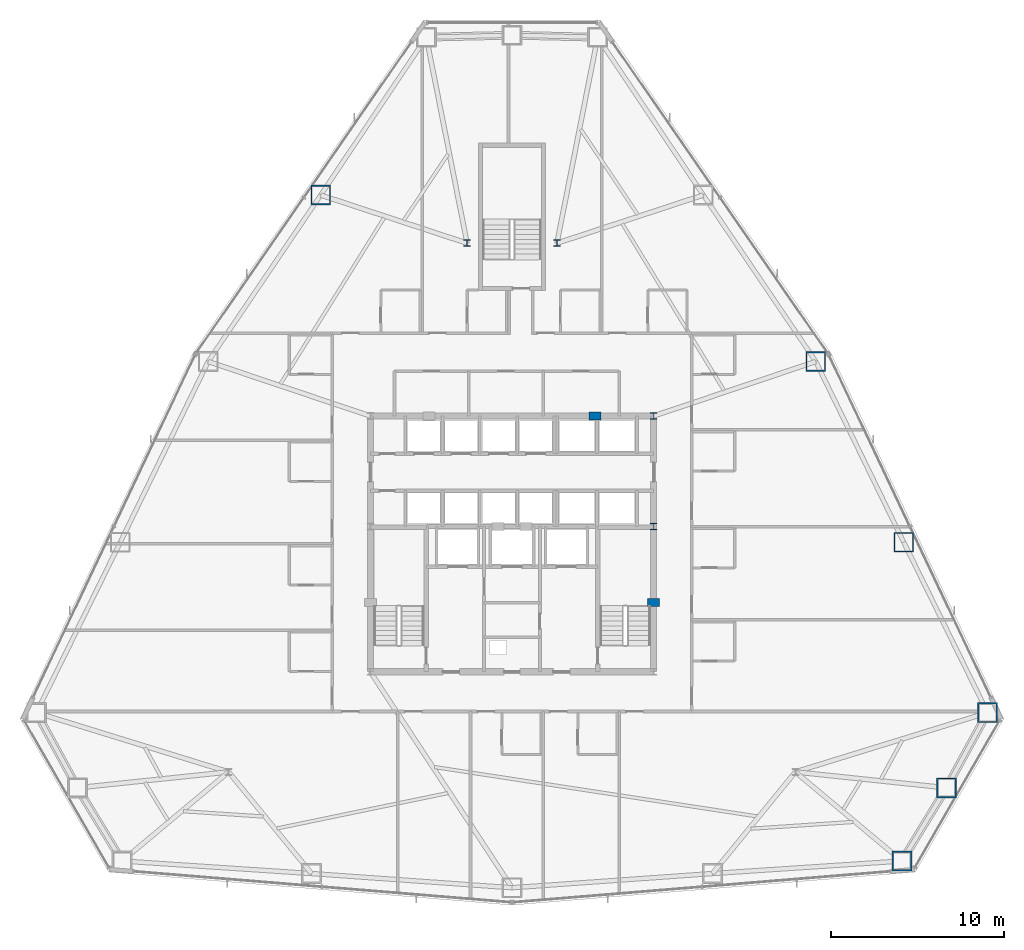
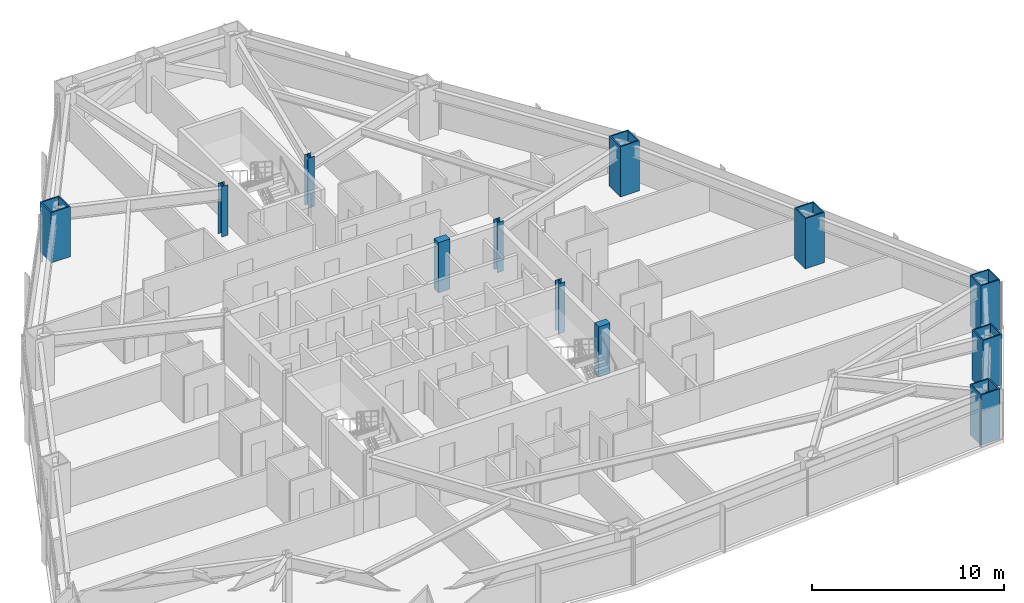
# One storey, part 2 of 13: 12 columns.
"""IFC4 building model written with IfcOpenShell, lengths in metres."""

from ifc_helpers import new_model, si_unit, direction, frame, origin, origin_2d, place, context, subcontext, project, spatial, rectangle, hollow_rectangle, i_section, extrude, material, material_profile, profile_set, type_object, element, save


model = new_model("IFC4")

# Units and contexts
model_context = context("Model", 3, precision=1e-05, world=origin(), true_north=direction((0.0, 1.0)))
body_context = subcontext(model_context, "Body", "Model", "MODEL_VIEW")
ifc_project = project(units=[si_unit("LENGTHUNIT", "METRE"), si_unit("AREAUNIT", "SQUARE_METRE"), si_unit("VOLUMEUNIT", "CUBIC_METRE"), si_unit("PLANEANGLEUNIT", "RADIAN"), si_unit("MASSUNIT", "GRAM", prefix="KILO")], contexts=[model_context])

# Site, building, storey
site_placement = place(None, origin())
site = spatial("IfcSite", under=ifc_project, at=site_placement, CompositionType="ELEMENT")
building_placement = place(site_placement, origin())
building = spatial("IfcBuilding", under=site, at=building_placement, Name="Varakhsha Concourse Tower", CompositionType="ELEMENT")
storey_placement = place(building_placement, frame((0.0, 0.0, 52.800048828125)))
storey = spatial("IfcBuildingStorey", under=building, at=storey_placement, Name="L14", CompositionType="ELEMENT", Elevation=52.800048828125)

# Columns
ifc_material_1 = material(Name="Structural Steel ASTM A992 Grade 50", Category="steel")
ifc_material_profile_1 = material_profile(ifc_material_1, i_section(OverallWidth=0.3740234375, OverallDepth=0.3720703125, WebThickness=0.01611328125, FlangeThickness=0.02587890625, at=origin_2d()), Name="W14X132")
ifc_profile_set_1 = profile_set([ifc_material_profile_1], Name="Structural Steel ASTM A992 Grade 50")
column_type_1 = type_object("IfcColumnType", Name="CL-CORE-W14X132", PredefinedType="COLUMN", material=ifc_profile_set_1)
for number, where, z_axis, x_axis, name in (
    (1, (48.199951171875, 24.800048828125, 0.0), (0.0, 0.0, 1.0), (1.0, 0.0, 0.0), "L14 Core Column CC-ME"),
    (2, (48.199951171875, 31.199951171875, 0.0), (0.0, 0.0, 1.0), (1.0, 0.0, 0.0), "L14 Core Column CC-NE"),
    (3, (37.39990234375, 41.199951171875, 0.0), (0.0, 0.0, 1.0), (1.0, 0.0, 0.0), "L14 Core Column NS-W"),
    (4, (42.60009765625, 41.199951171875, 0.0), (0.0, 0.0, 1.0), (1.0, 0.0, 0.0), "L14 Core Column NS-E"),
):
    element("IfcColumn", number, at=place(storey_placement, frame(where, z_axis=z_axis, x_axis=x_axis)), inside=storey, type_object=column_type_1, Name=name, PredefinedType="COLUMN", context=body_context, shape_type="SweptSolid", body=[
        extrude(i_section(OverallWidth=0.3740234375, OverallDepth=0.3720703125, WebThickness=0.01611328125, FlangeThickness=0.02587890625, at=origin_2d()), origin(), (0.0, 0.0, 1.0), 3.199951171875),
    ])
ifc_material_2 = material(Name="Concrete fc 65 MPa", Category="concrete")
ifc_material_profile_2 = material_profile(ifc_material_2, rectangle(XDim=0.699951171875, YDim=0.449951171875, at=origin_2d()), Name="RC 700x450")
ifc_profile_set_2 = profile_set([ifc_material_profile_2], Name="Concrete fc 65 MPa")
column_type_2 = type_object("IfcColumnType", Name="CL-PIL-700X450", PredefinedType="PILASTER", material=ifc_profile_set_2)
for number, where, z_axis, x_axis, name in (
    (5, (48.199951171875, 20.39990234375, 0.0), (0.0, 0.0, 1.0), (1.0, 0.0, 0.0), "L14 Core Boundary Pilaster PIL-E1"),
    (6, (44.800048828125, 31.199951171875, 0.0), (0.0, 0.0, 1.0), (1.0, 0.0, 0.0), "L14 Core Boundary Pilaster PIL-N2"),
):
    element("IfcColumn", number, at=place(storey_placement, frame(where, z_axis=z_axis, x_axis=x_axis)), inside=storey, type_object=column_type_2, Name=name, PredefinedType="PILASTER", context=body_context, shape_type="SweptSolid", body=[
        extrude(rectangle(XDim=0.699951171875, YDim=0.449951171875, at=origin_2d()), origin(), (0.0, 0.0, 1.0), 3.199951171875),
    ])
ifc_material_3 = material(Name="Structural Steel ASTM A572 Grade 50", Category="steel")
ifc_material_profile_3 = material_profile(ifc_material_3, hollow_rectangle(XDim=1.14990234375, YDim=1.14990234375, WallThickness=0.074951171875, at=origin_2d()), Name="BOX 1150x1150x75")
ifc_profile_set_3 = profile_set([ifc_material_profile_3], Name="Structural Steel ASTM A572 Grade 50")
column_type_3 = type_object("IfcColumnType", Name="CL-TUBE-1150", PredefinedType="COLUMN", material=ifc_profile_set_3)
for number, where, z_axis, x_axis, name in (
    (7, (28.9306640625, 43.986083984375, 0.0), (0.0, 0.0, 1.0), (1.0, 0.0, 0.0), "L14 Framed-Tube Column TC04"),
    (8, (62.56640625, 5.44677734375, 0.0), (0.0, 0.0, 1.0), (1.0, 0.0, 0.0), "L14 Framed-Tube Column TC13"),
    (9, (65.146728515625, 9.681396484375, 0.0), (0.0, 0.0, 1.0), (1.0, 0.0, 0.0), "L14 Framed-Tube Column TC14"),
    (10, (67.52392578125, 14.033447265625, 0.0), (0.0, 0.0, 1.0), (1.0, 0.0, 0.0), "L14 Framed-Tube Column TC15"),
    (11, (62.669921875, 23.893310546875, 0.0), (0.0, 0.0, 1.0), (1.0, 0.0, 0.0), "L14 Framed-Tube Column TC16"),
    (12, (57.5810546875, 34.350341796875, 0.0), (0.0, 0.0, 1.0), (1.0, 0.0, 0.0), "L14 Framed-Tube Column TC17"),
):
    element("IfcColumn", number, at=place(storey_placement, frame(where, z_axis=z_axis, x_axis=x_axis)), inside=storey, type_object=column_type_3, Name=name, PredefinedType="COLUMN", context=body_context, shape_type="SweptSolid", body=[
        extrude(hollow_rectangle(XDim=1.14990234375, YDim=1.14990234375, WallThickness=0.074951171875, at=origin_2d()), origin(), (0.0, 0.0, 1.0), 3.199951171875),
    ])

save(model, "model.ifc")
